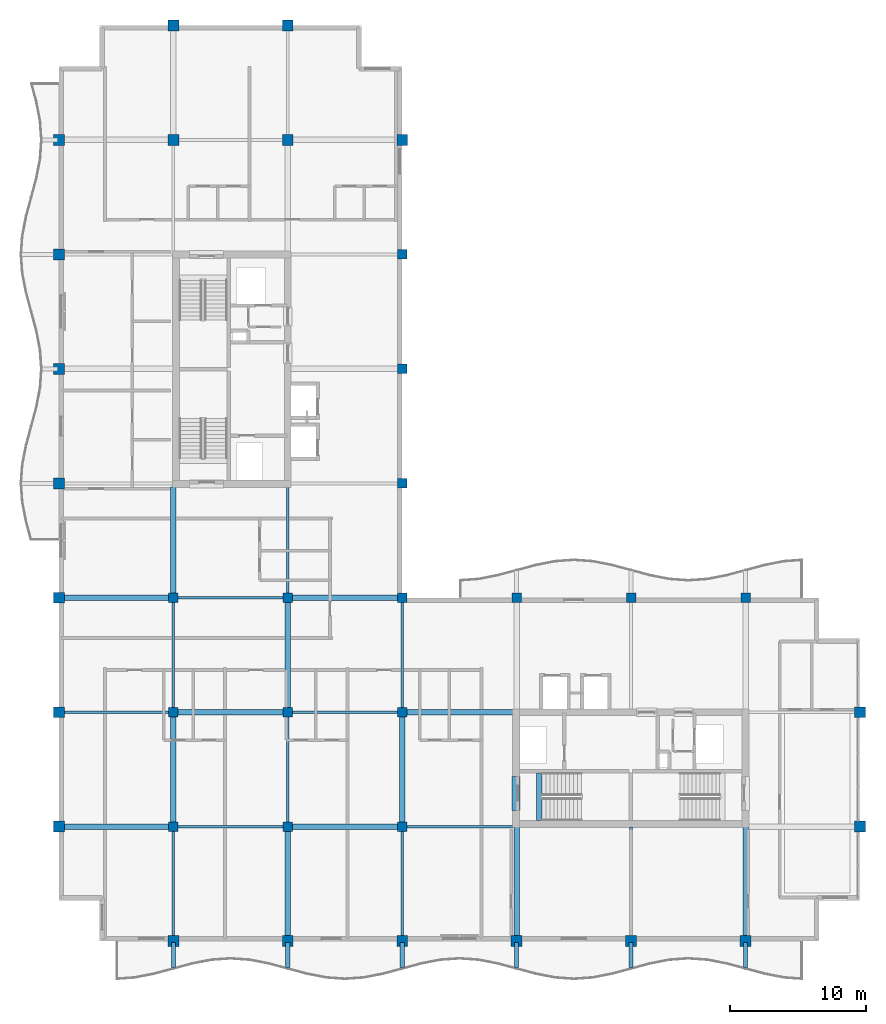
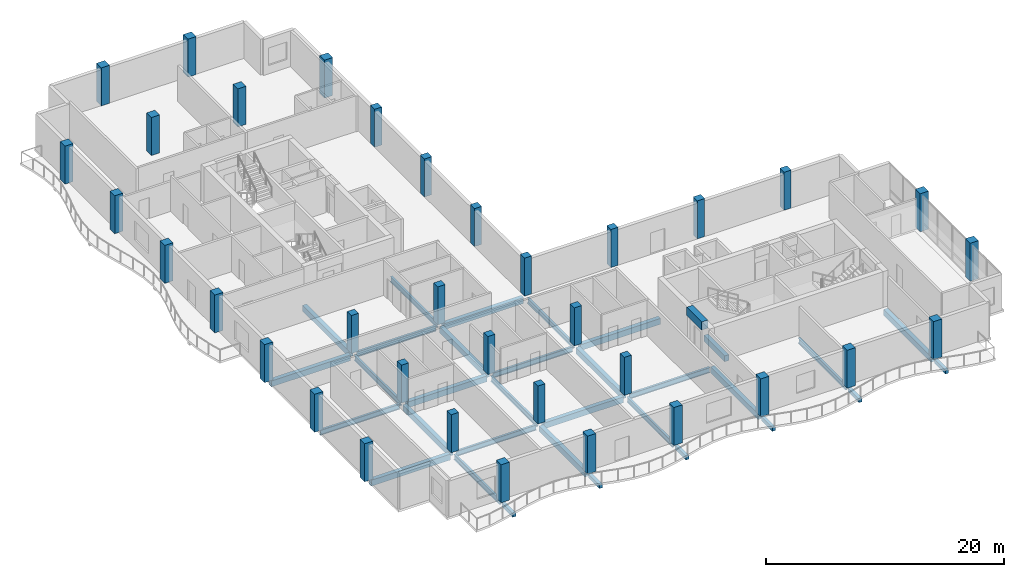
# One storey, part 1 of 14: 35 columns, 33 beams.
"""IFC4 building model written with IfcOpenShell, lengths in metres."""

from ifc_helpers import new_model, si_unit, direction, frame, origin, origin_2d, place, context, subcontext, project, spatial, rectangle, i_section, extrude, material, material_profile, profile_set, type_object, element, save


model = new_model("IFC4")

# Units and contexts
model_context = context("Model", 3, precision=1e-05, world=origin(), true_north=direction((0.0, 1.0)))
body_context = subcontext(model_context, "Body", "Model", "MODEL_VIEW")
ifc_project = project(units=[si_unit("LENGTHUNIT", "METRE"), si_unit("AREAUNIT", "SQUARE_METRE"), si_unit("VOLUMEUNIT", "CUBIC_METRE"), si_unit("PLANEANGLEUNIT", "RADIAN"), si_unit("MASSUNIT", "GRAM", prefix="KILO")], contexts=[model_context])

# Site, building, storey
site_placement = place(None, origin())
site = spatial("IfcSite", under=ifc_project, at=site_placement, CompositionType="ELEMENT")
building_placement = place(site_placement, origin())
building = spatial("IfcBuilding", under=site, at=building_placement, Name="Koriwani Terraces Tower", CompositionType="ELEMENT")
storey_placement = place(building_placement, frame((0.0, 0.0, 308.60009765625)))
storey = spatial("IfcBuildingStorey", under=building, at=storey_placement, Name="L76", CompositionType="ELEMENT", Elevation=308.60009765625)

# Columns
ifc_material_1 = material(Name="Concrete C50/60", Category="concrete")
ifc_material_profile_1 = material_profile(ifc_material_1, rectangle(XDim=0.699951171875, YDim=0.699951171875, at=origin_2d()), Name="Concrete C50/60", Category="LoadBearing")
ifc_profile_set_1 = profile_set([ifc_material_profile_1], Name="Concrete C50/60")
column_type_1 = type_object("IfcColumnType", Name="COL_RC_700X700", PredefinedType="COLUMN", material=ifc_profile_set_1)
for number, where, z_axis, x_axis, name in (
    (1, (16.800048828125, 16.800048828125, 0.0), (0.0, 0.0, 1.0), (1.0, 0.0, 0.0), "L76 Column 3/C"),
    (2, (16.800048828125, 25.199951171875, 0.0), (0.0, 0.0, 1.0), (1.0, 0.0, 0.0), "L76 Column 3/D"),
    (3, (16.800048828125, 33.60009765625, 0.0), (0.0, 0.0, 1.0), (1.0, 0.0, 0.0), "L76 Column 3/E"),
    (4, (25.199951171875, 16.800048828125, 0.0), (0.0, 0.0, 1.0), (1.0, 0.0, 0.0), "L76 Column 4/C"),
    (5, (25.199951171875, 25.199951171875, 0.0), (0.0, 0.0, 1.0), (1.0, 0.0, 0.0), "L76 Column 4/D"),
    (6, (25.199951171875, 33.60009765625, 0.0), (0.0, 0.0, 1.0), (1.0, 0.0, 0.0), "L76 Column 4/E"),
    (7, (33.60009765625, 16.800048828125, 0.0), (0.0, 0.0, 1.0), (1.0, 0.0, 0.0), "L76 Column 5/C"),
    (8, (33.60009765625, 25.199951171875, 0.0), (0.0, 0.0, 1.0), (1.0, 0.0, 0.0), "L76 Column 5/D"),
    (9, (33.60009765625, 33.60009765625, 0.0), (0.0, 0.0, 1.0), (1.0, 0.0, 0.0), "L76 Column 5/E"),
    (10, (33.60009765625, 42.0, 0.0), (0.0, 0.0, 1.0), (1.0, 0.0, 0.0), "L76 Column 5/F"),
    (11, (33.60009765625, 50.39990234375, 0.0), (0.0, 0.0, 1.0), (1.0, 0.0, 0.0), "L76 Column 5/G"),
    (12, (33.60009765625, 58.800048828125, 0.0), (0.0, 0.0, 1.0), (1.0, 0.0, 0.0), "L76 Column 5/H"),
    (13, (42.0, 33.60009765625, 0.0), (0.0, 0.0, 1.0), (1.0, 0.0, 0.0), "L76 Column 6/E"),
    (14, (50.39990234375, 33.60009765625, 0.0), (0.0, 0.0, 1.0), (1.0, 0.0, 0.0), "L76 Column 7/E"),
    (15, (58.800048828125, 33.60009765625, 0.0), (0.0, 0.0, 1.0), (1.0, 0.0, 0.0), "L76 Column 8/E"),
):
    element("IfcColumn", number, at=place(storey_placement, frame(where, z_axis=z_axis, x_axis=x_axis)), inside=storey, type_object=column_type_1, Name=name, PredefinedType="COLUMN", context=body_context, shape_type="SweptSolid", body=[
        extrude(rectangle(XDim=0.699951171875, YDim=0.699951171875, at=origin_2d()), origin(), (0.0, 0.0, 1.0), 3.89990234375),
    ])
ifc_material_profile_2 = material_profile(ifc_material_1, rectangle(XDim=0.800048828125, YDim=0.800048828125, at=origin_2d()), Name="Concrete C50/60", Category="LoadBearing")
ifc_profile_set_2 = profile_set([ifc_material_profile_2], Name="Concrete C50/60")
column_type_2 = type_object("IfcColumnType", Name="COL_RC_800X800", PredefinedType="COLUMN", material=ifc_profile_set_2)
for number, where, z_axis, x_axis, name in (
    (16, (8.39990234375, 16.800048828125, 0.0), (0.0, 0.0, 1.0), (1.0, 0.0, 0.0), "L76 Column 2/C"),
    (17, (8.39990234375, 25.199951171875, 0.0), (0.0, 0.0, 1.0), (1.0, 0.0, 0.0), "L76 Column 2/D"),
    (18, (8.39990234375, 33.60009765625, 0.0), (0.0, 0.0, 1.0), (1.0, 0.0, 0.0), "L76 Column 2/E"),
    (19, (8.39990234375, 42.0, 0.0), (0.0, 0.0, 1.0), (1.0, 0.0, 0.0), "L76 Column 2/F"),
    (20, (8.39990234375, 50.39990234375, 0.0), (0.0, 0.0, 1.0), (1.0, 0.0, 0.0), "L76 Column 2/G"),
    (21, (8.39990234375, 58.800048828125, 0.0), (0.0, 0.0, 1.0), (1.0, 0.0, 0.0), "L76 Column 2/H"),
    (22, (8.39990234375, 67.199951171875, 0.0), (0.0, 0.0, 1.0), (1.0, 0.0, 0.0), "L76 Column 2/I"),
    (23, (16.800048828125, 8.39990234375, 0.0), (0.0, 0.0, 1.0), (1.0, 0.0, 0.0), "L76 Column 3/B"),
    (24, (16.800048828125, 67.199951171875, 0.0), (0.0, 0.0, 1.0), (1.0, 0.0, 0.0), "L76 Column 3/I"),
    (25, (16.800048828125, 75.60009765625, 0.0), (0.0, 0.0, 1.0), (1.0, 0.0, 0.0), "L76 Column 3/J"),
    (26, (25.199951171875, 8.39990234375, 0.0), (0.0, 0.0, 1.0), (1.0, 0.0, 0.0), "L76 Column 4/B"),
    (27, (25.199951171875, 67.199951171875, 0.0), (0.0, 0.0, 1.0), (1.0, 0.0, 0.0), "L76 Column 4/I"),
    (28, (25.199951171875, 75.60009765625, 0.0), (0.0, 0.0, 1.0), (1.0, 0.0, 0.0), "L76 Column 4/J"),
    (29, (33.60009765625, 8.39990234375, 0.0), (0.0, 0.0, 1.0), (1.0, 0.0, 0.0), "L76 Column 5/B"),
    (30, (33.60009765625, 67.199951171875, 0.0), (0.0, 0.0, 1.0), (1.0, 0.0, 0.0), "L76 Column 5/I"),
    (31, (42.0, 8.39990234375, 0.0), (0.0, 0.0, 1.0), (1.0, 0.0, 0.0), "L76 Column 6/B"),
    (32, (50.39990234375, 8.39990234375, 0.0), (0.0, 0.0, 1.0), (1.0, 0.0, 0.0), "L76 Column 7/B"),
    (33, (58.800048828125, 8.39990234375, 0.0), (0.0, 0.0, 1.0), (1.0, 0.0, 0.0), "L76 Column 8/B"),
    (34, (67.199951171875, 16.800048828125, 0.0), (0.0, 0.0, 1.0), (1.0, 0.0, 0.0), "L76 Column 9/C"),
    (35, (67.199951171875, 25.199951171875, 0.0), (0.0, 0.0, 1.0), (1.0, 0.0, 0.0), "L76 Column 9/D"),
):
    element("IfcColumn", number, at=place(storey_placement, frame(where, z_axis=z_axis, x_axis=x_axis)), inside=storey, type_object=column_type_2, Name=name, PredefinedType="COLUMN", context=body_context, shape_type="SweptSolid", body=[
        extrude(rectangle(XDim=0.800048828125, YDim=0.800048828125, at=origin_2d()), origin(), (0.0, 0.0, 1.0), 3.89990234375),
    ])

# Beams
ifc_material_2 = material(Name="Concrete C40/50", Category="concrete")
ifc_material_profile_3 = material_profile(ifc_material_2, rectangle(XDim=0.300048828125, YDim=0.39990234375, at=origin_2d()), Name="Concrete C40/50", Category="LoadBearing")
ifc_profile_set_3 = profile_set([ifc_material_profile_3], Name="Concrete C40/50")
beam_type_1 = type_object("IfcBeamType", Name="BEAM_RC_BALCONY_RIB_300X400", PredefinedType="JOIST", material=ifc_profile_set_3)
for number, where, z_axis, x_axis, name in (
    (36, (16.800048828125, 6.449951171875, -0.43017578125), (0.0, 1.0, 0.0), (-1.0, 0.0, 0.0), "L76 Balcony Bracket Rib S-1"),
    (37, (25.199951171875, 6.449951171875, -0.43017578125), (0.0, 1.0, 0.0), (-1.0, 0.0, 0.0), "L76 Balcony Bracket Rib S-2"),
    (38, (33.60009765625, 6.449951171875, -0.43017578125), (0.0, 1.0, 0.0), (-1.0, 0.0, 0.0), "L76 Balcony Bracket Rib S-3"),
    (39, (42.0, 6.449951171875, -0.43017578125), (0.0, 1.0, 0.0), (-1.0, 0.0, 0.0), "L76 Balcony Bracket Rib S-4"),
    (40, (50.39990234375, 6.449951171875, -0.43017578125), (0.0, 1.0, 0.0), (-1.0, 0.0, 0.0), "L76 Balcony Bracket Rib S-5"),
    (41, (58.800048828125, 6.449951171875, -0.43017578125), (0.0, 1.0, 0.0), (-1.0, 0.0, 0.0), "L76 Balcony Bracket Rib S-6"),
):
    element("IfcBeam", number, at=place(storey_placement, frame(where, z_axis=z_axis, x_axis=x_axis)), inside=storey, type_object=beam_type_1, Name=name, PredefinedType="JOIST", context=body_context, shape_type="SweptSolid", body=[
        extrude(rectangle(XDim=0.300048828125, YDim=0.39990234375, at=origin_2d()), origin(), (0.0, 0.0, 1.0), 1.85009765625),
    ])
ifc_material_profile_4 = material_profile(ifc_material_1, rectangle(XDim=0.60009765625, YDim=0.85009765625, at=origin_2d()), Name="Concrete C50/60", Category="LoadBearing")
ifc_profile_set_4 = profile_set([ifc_material_profile_4], Name="Concrete C50/60")
beam_type_2 = type_object("IfcBeamType", Name="BEAM_RC_COUPLING_600X850", PredefinedType="LINTEL", material=ifc_profile_set_4)
beam_1_placement = place(storey_placement, frame((41.949951171875, 18.0, 3.244873046875), z_axis=(0.0, 1.0, 0.0), x_axis=(-1.0, 0.0, 0.0)))
element("IfcBeam", 42, at=beam_1_placement, inside=storey, type_object=beam_type_2, Name="L76 Core Coupling Lintel Beam EW", PredefinedType="LINTEL", context=body_context, shape_type="SweptSolid", body=[
    extrude(rectangle(XDim=0.60009765625, YDim=0.85009765625, at=origin_2d()), origin(), (0.0, 0.0, 1.0), 2.5),
])
ifc_material_profile_5 = material_profile(ifc_material_2, rectangle(XDim=0.39990234375, YDim=0.60009765625, at=origin_2d()), Name="Concrete C40/50", Category="LoadBearing")
ifc_profile_set_5 = profile_set([ifc_material_profile_5], Name="Concrete C40/50")
beam_type_3 = type_object("IfcBeamType", Name="BEAM_RC_GRID_400X600", PredefinedType="BEAM", material=ifc_profile_set_5)
beam_2_placement = place(storey_placement, frame((43.655029296875, 17.25, -0.300048828125), z_axis=(0.0, 1.0, 0.0), x_axis=(-1.0, 0.0, 0.0)))
element("IfcBeam", 43, at=beam_2_placement, inside=storey, type_object=beam_type_3, Name="L76 Stairwell Header Trimmer Beam ST-E1", PredefinedType="BEAM", context=body_context, shape_type="SweptSolid", body=[
    extrude(rectangle(XDim=0.39990234375, YDim=0.60009765625, at=origin_2d()), origin(), (0.0, 0.0, 1.0), 3.5),
])
beam_3_placement = place(storey_placement, frame((8.780029296875, 16.800048828125, -0.530029296875), z_axis=(1.0, 0.0, 0.0), x_axis=(0.0, 1.0, 0.0)))
element("IfcBeam", 44, at=beam_3_placement, inside=storey, type_object=beam_type_3, Name="L76 Grid Beam C (8.4-16.8m)", PredefinedType="BEAM", context=body_context, shape_type="SweptSolid", body=[
    extrude(rectangle(XDim=0.39990234375, YDim=0.60009765625, at=origin_2d()), origin(), (0.0, 0.0, 1.0), 7.68994140625),
])
beam_4_placement = place(storey_placement, frame((25.530029296875, 16.800048828125, -0.530029296875), z_axis=(1.0, 0.0, 0.0), x_axis=(0.0, 1.0, 0.0)))
element("IfcBeam", 45, at=beam_4_placement, inside=storey, type_object=beam_type_3, Name="L76 Grid Beam C (25.2-33.6m)", PredefinedType="BEAM", context=body_context, shape_type="SweptSolid", body=[
    extrude(rectangle(XDim=0.39990234375, YDim=0.60009765625, at=origin_2d()), origin(), (0.0, 0.0, 1.0), 7.739990234375),
])
beam_5_placement = place(storey_placement, frame((17.1298828125, 25.199951171875, -0.530029296875), z_axis=(1.0, 0.0, 0.0), x_axis=(0.0, 1.0, 0.0)))
element("IfcBeam", 46, at=beam_5_placement, inside=storey, type_object=beam_type_3, Name="L76 Grid Beam D (16.8-25.2m)", PredefinedType="BEAM", context=body_context, shape_type="SweptSolid", body=[
    extrude(rectangle(XDim=0.39990234375, YDim=0.60009765625, at=origin_2d()), origin(), (0.0, 0.0, 1.0), 7.740234375),
])
beam_6_placement = place(storey_placement, frame((33.929931640625, 25.199951171875, -0.530029296875), z_axis=(1.0, 0.0, 0.0), x_axis=(0.0, 1.0, 0.0)))
element("IfcBeam", 47, at=beam_6_placement, inside=storey, type_object=beam_type_3, Name="L76 Grid Beam D (33.6-42.0m)", PredefinedType="BEAM", context=body_context, shape_type="SweptSolid", body=[
    extrude(rectangle(XDim=0.39990234375, YDim=0.60009765625, at=origin_2d()), origin(), (0.0, 0.0, 1.0), 7.7900390625),
])
beam_7_placement = place(storey_placement, frame((8.780029296875, 33.60009765625, -0.530029296875), z_axis=(1.0, 0.0, 0.0), x_axis=(0.0, 1.0, 0.0)))
element("IfcBeam", 48, at=beam_7_placement, inside=storey, type_object=beam_type_3, Name="L76 Grid Beam E (8.4-16.8m)", PredefinedType="BEAM", context=body_context, shape_type="SweptSolid", body=[
    extrude(rectangle(XDim=0.39990234375, YDim=0.60009765625, at=origin_2d()), origin(), (0.0, 0.0, 1.0), 7.68994140625),
])
beam_8_placement = place(storey_placement, frame((25.530029296875, 33.60009765625, -0.530029296875), z_axis=(1.0, 0.0, 0.0), x_axis=(0.0, 1.0, 0.0)))
element("IfcBeam", 49, at=beam_8_placement, inside=storey, type_object=beam_type_3, Name="L76 Grid Beam E (25.2-33.6m)", PredefinedType="BEAM", context=body_context, shape_type="SweptSolid", body=[
    extrude(rectangle(XDim=0.39990234375, YDim=0.60009765625, at=origin_2d()), origin(), (0.0, 0.0, 1.0), 7.739990234375),
])
beam_9_placement = place(storey_placement, frame((16.800048828125, 17.1298828125, -0.530029296875), z_axis=(0.0, 1.0, 0.0), x_axis=(-1.0, 0.0, 0.0)))
element("IfcBeam", 50, at=beam_9_placement, inside=storey, type_object=beam_type_3, Name="L76 Grid Beam 3 (16.8-25.2m)", PredefinedType="BEAM", context=body_context, shape_type="SweptSolid", body=[
    extrude(rectangle(XDim=0.39990234375, YDim=0.60009765625, at=origin_2d()), origin(), (0.0, 0.0, 1.0), 7.740234375),
])
beam_10_placement = place(storey_placement, frame((16.800048828125, 33.929931640625, -0.530029296875), z_axis=(0.0, 1.0, 0.0), x_axis=(-1.0, 0.0, 0.0)))
element("IfcBeam", 51, at=beam_10_placement, inside=storey, type_object=beam_type_3, Name="L76 Grid Beam 3 (33.6-42.0m)", PredefinedType="BEAM", context=body_context, shape_type="SweptSolid", body=[
    extrude(rectangle(XDim=0.39990234375, YDim=0.60009765625, at=origin_2d()), origin(), (0.0, 0.0, 1.0), 7.7900390625),
])
beam_11_placement = place(storey_placement, frame((25.199951171875, 8.780029296875, -0.530029296875), z_axis=(0.0, 1.0, 0.0), x_axis=(-1.0, 0.0, 0.0)))
element("IfcBeam", 52, at=beam_11_placement, inside=storey, type_object=beam_type_3, Name="L76 Grid Beam 4 (8.4-16.8m)", PredefinedType="BEAM", context=body_context, shape_type="SweptSolid", body=[
    extrude(rectangle(XDim=0.39990234375, YDim=0.60009765625, at=origin_2d()), origin(), (0.0, 0.0, 1.0), 7.68994140625),
])
beam_12_placement = place(storey_placement, frame((25.199951171875, 25.530029296875, -0.530029296875), z_axis=(0.0, 1.0, 0.0), x_axis=(-1.0, 0.0, 0.0)))
element("IfcBeam", 53, at=beam_12_placement, inside=storey, type_object=beam_type_3, Name="L76 Grid Beam 4 (25.2-33.6m)", PredefinedType="BEAM", context=body_context, shape_type="SweptSolid", body=[
    extrude(rectangle(XDim=0.39990234375, YDim=0.60009765625, at=origin_2d()), origin(), (0.0, 0.0, 1.0), 7.739990234375),
])
beam_13_placement = place(storey_placement, frame((33.60009765625, 17.1298828125, -0.530029296875), z_axis=(0.0, 1.0, 0.0), x_axis=(-1.0, 0.0, 0.0)))
element("IfcBeam", 54, at=beam_13_placement, inside=storey, type_object=beam_type_3, Name="L76 Grid Beam 5 (16.8-25.2m)", PredefinedType="BEAM", context=body_context, shape_type="SweptSolid", body=[
    extrude(rectangle(XDim=0.39990234375, YDim=0.60009765625, at=origin_2d()), origin(), (0.0, 0.0, 1.0), 7.740234375),
])
for number, where, z_axis, x_axis, name in (
    (55, (42.0, 8.780029296875, -0.530029296875), (0.0, 1.0, 0.0), (-1.0, 0.0, 0.0), "L76 Grid Beam 6 (8.4-16.8m)"),
    (56, (58.800048828125, 8.780029296875, -0.530029296875), (0.0, 1.0, 0.0), (-1.0, 0.0, 0.0), "L76 Grid Beam 8 (8.4-16.8m)"),
):
    element("IfcBeam", number, at=place(storey_placement, frame(where, z_axis=z_axis, x_axis=x_axis)), inside=storey, type_object=beam_type_3, Name=name, PredefinedType="BEAM", context=body_context, shape_type="SweptSolid", body=[
        extrude(rectangle(XDim=0.39990234375, YDim=0.60009765625, at=origin_2d()), origin(), (0.0, 0.0, 1.0), 7.989990234375),
    ])
ifc_material_3 = material(Name="Steel ASTM A572 Grade 50", Category="steel")
ifc_material_profile_6 = material_profile(ifc_material_3, i_section(OverallWidth=0.2119140625, OverallDepth=0.54296875, WebThickness=0.0126953125, FlangeThickness=0.021240234375, at=origin_2d()), Name="Steel ASTM A572 Grade 50", Category="LoadBearing")
ifc_profile_set_6 = profile_set([ifc_material_profile_6], Name="Steel ASTM A572 Grade 50")
beam_type_4 = type_object("IfcBeamType", Name="STEEL_BEAM_W530X150", PredefinedType="BEAM", material=ifc_profile_set_6)
beam_14_placement = place(storey_placement, frame((17.1298828125, 16.800048828125, -0.501708984375), z_axis=(1.0, 0.0, 0.0), x_axis=(0.0, 1.0, 0.0)))
element("IfcBeam", 57, at=beam_14_placement, inside=storey, type_object=beam_type_4, Name="L76 Grid Beam C (16.8-25.2m)", PredefinedType="BEAM", context=body_context, shape_type="SweptSolid", body=[
    extrude(i_section(OverallWidth=0.2119140625, OverallDepth=0.54296875, WebThickness=0.0126953125, FlangeThickness=0.021240234375, at=origin_2d()), origin(), (0.0, 0.0, 1.0), 7.740234375),
])
beam_15_placement = place(storey_placement, frame((33.929931640625, 16.800048828125, -0.501708984375), z_axis=(1.0, 0.0, 0.0), x_axis=(0.0, 1.0, 0.0)))
element("IfcBeam", 58, at=beam_15_placement, inside=storey, type_object=beam_type_4, Name="L76 Grid Beam C (33.6-42.0m)", PredefinedType="BEAM", context=body_context, shape_type="SweptSolid", body=[
    extrude(i_section(OverallWidth=0.2119140625, OverallDepth=0.54296875, WebThickness=0.0126953125, FlangeThickness=0.021240234375, at=origin_2d()), origin(), (0.0, 0.0, 1.0), 7.7900390625),
])
beam_16_placement = place(storey_placement, frame((8.780029296875, 25.199951171875, -0.501708984375), z_axis=(1.0, 0.0, 0.0), x_axis=(0.0, 1.0, 0.0)))
element("IfcBeam", 59, at=beam_16_placement, inside=storey, type_object=beam_type_4, Name="L76 Grid Beam D (8.4-16.8m)", PredefinedType="BEAM", context=body_context, shape_type="SweptSolid", body=[
    extrude(i_section(OverallWidth=0.2119140625, OverallDepth=0.54296875, WebThickness=0.0126953125, FlangeThickness=0.021240234375, at=origin_2d()), origin(), (0.0, 0.0, 1.0), 7.68994140625),
])
beam_17_placement = place(storey_placement, frame((25.530029296875, 25.199951171875, -0.501708984375), z_axis=(1.0, 0.0, 0.0), x_axis=(0.0, 1.0, 0.0)))
element("IfcBeam", 60, at=beam_17_placement, inside=storey, type_object=beam_type_4, Name="L76 Grid Beam D (25.2-33.6m)", PredefinedType="BEAM", context=body_context, shape_type="SweptSolid", body=[
    extrude(i_section(OverallWidth=0.2119140625, OverallDepth=0.54296875, WebThickness=0.0126953125, FlangeThickness=0.021240234375, at=origin_2d()), origin(), (0.0, 0.0, 1.0), 7.739990234375),
])
beam_18_placement = place(storey_placement, frame((17.1298828125, 33.60009765625, -0.501708984375), z_axis=(1.0, 0.0, 0.0), x_axis=(0.0, 1.0, 0.0)))
element("IfcBeam", 61, at=beam_18_placement, inside=storey, type_object=beam_type_4, Name="L76 Grid Beam E (16.8-25.2m)", PredefinedType="BEAM", context=body_context, shape_type="SweptSolid", body=[
    extrude(i_section(OverallWidth=0.2119140625, OverallDepth=0.54296875, WebThickness=0.0126953125, FlangeThickness=0.021240234375, at=origin_2d()), origin(), (0.0, 0.0, 1.0), 7.740234375),
])
beam_19_placement = place(storey_placement, frame((16.800048828125, 8.780029296875, -0.501708984375), z_axis=(0.0, 1.0, 0.0), x_axis=(-1.0, 0.0, 0.0)))
element("IfcBeam", 62, at=beam_19_placement, inside=storey, type_object=beam_type_4, Name="L76 Grid Beam 3 (8.4-16.8m)", PredefinedType="BEAM", context=body_context, shape_type="SweptSolid", body=[
    extrude(i_section(OverallWidth=0.2119140625, OverallDepth=0.54296875, WebThickness=0.0126953125, FlangeThickness=0.021240234375, at=origin_2d()), origin(), (0.0, 0.0, 1.0), 7.68994140625),
])
beam_20_placement = place(storey_placement, frame((16.800048828125, 25.530029296875, -0.501708984375), z_axis=(0.0, 1.0, 0.0), x_axis=(-1.0, 0.0, 0.0)))
element("IfcBeam", 63, at=beam_20_placement, inside=storey, type_object=beam_type_4, Name="L76 Grid Beam 3 (25.2-33.6m)", PredefinedType="BEAM", context=body_context, shape_type="SweptSolid", body=[
    extrude(i_section(OverallWidth=0.2119140625, OverallDepth=0.54296875, WebThickness=0.0126953125, FlangeThickness=0.021240234375, at=origin_2d()), origin(), (0.0, 0.0, 1.0), 7.739990234375),
])
beam_21_placement = place(storey_placement, frame((25.199951171875, 17.1298828125, -0.501708984375), z_axis=(0.0, 1.0, 0.0), x_axis=(-1.0, 0.0, 0.0)))
element("IfcBeam", 64, at=beam_21_placement, inside=storey, type_object=beam_type_4, Name="L76 Grid Beam 4 (16.8-25.2m)", PredefinedType="BEAM", context=body_context, shape_type="SweptSolid", body=[
    extrude(i_section(OverallWidth=0.2119140625, OverallDepth=0.54296875, WebThickness=0.0126953125, FlangeThickness=0.021240234375, at=origin_2d()), origin(), (0.0, 0.0, 1.0), 7.740234375),
])
beam_22_placement = place(storey_placement, frame((25.199951171875, 33.929931640625, -0.501708984375), z_axis=(0.0, 1.0, 0.0), x_axis=(-1.0, 0.0, 0.0)))
element("IfcBeam", 65, at=beam_22_placement, inside=storey, type_object=beam_type_4, Name="L76 Grid Beam 4 (33.6-42.0m)", PredefinedType="BEAM", context=body_context, shape_type="SweptSolid", body=[
    extrude(i_section(OverallWidth=0.2119140625, OverallDepth=0.54296875, WebThickness=0.0126953125, FlangeThickness=0.021240234375, at=origin_2d()), origin(), (0.0, 0.0, 1.0), 7.7900390625),
])
beam_23_placement = place(storey_placement, frame((33.60009765625, 8.780029296875, -0.501708984375), z_axis=(0.0, 1.0, 0.0), x_axis=(-1.0, 0.0, 0.0)))
element("IfcBeam", 66, at=beam_23_placement, inside=storey, type_object=beam_type_4, Name="L76 Grid Beam 5 (8.4-16.8m)", PredefinedType="BEAM", context=body_context, shape_type="SweptSolid", body=[
    extrude(i_section(OverallWidth=0.2119140625, OverallDepth=0.54296875, WebThickness=0.0126953125, FlangeThickness=0.021240234375, at=origin_2d()), origin(), (0.0, 0.0, 1.0), 7.68994140625),
])
beam_24_placement = place(storey_placement, frame((33.60009765625, 25.530029296875, -0.501708984375), z_axis=(0.0, 1.0, 0.0), x_axis=(-1.0, 0.0, 0.0)))
element("IfcBeam", 67, at=beam_24_placement, inside=storey, type_object=beam_type_4, Name="L76 Grid Beam 5 (25.2-33.6m)", PredefinedType="BEAM", context=body_context, shape_type="SweptSolid", body=[
    extrude(i_section(OverallWidth=0.2119140625, OverallDepth=0.54296875, WebThickness=0.0126953125, FlangeThickness=0.021240234375, at=origin_2d()), origin(), (0.0, 0.0, 1.0), 7.739990234375),
])
beam_25_placement = place(storey_placement, frame((50.39990234375, 8.780029296875, -0.501708984375), z_axis=(0.0, 1.0, 0.0), x_axis=(-1.0, 0.0, 0.0)))
element("IfcBeam", 68, at=beam_25_placement, inside=storey, type_object=beam_type_4, Name="L76 Grid Beam 7 (8.4-16.8m)", PredefinedType="BEAM", context=body_context, shape_type="SweptSolid", body=[
    extrude(i_section(OverallWidth=0.2119140625, OverallDepth=0.54296875, WebThickness=0.0126953125, FlangeThickness=0.021240234375, at=origin_2d()), origin(), (0.0, 0.0, 1.0), 7.989990234375),
])

save(model, "model.ifc")
